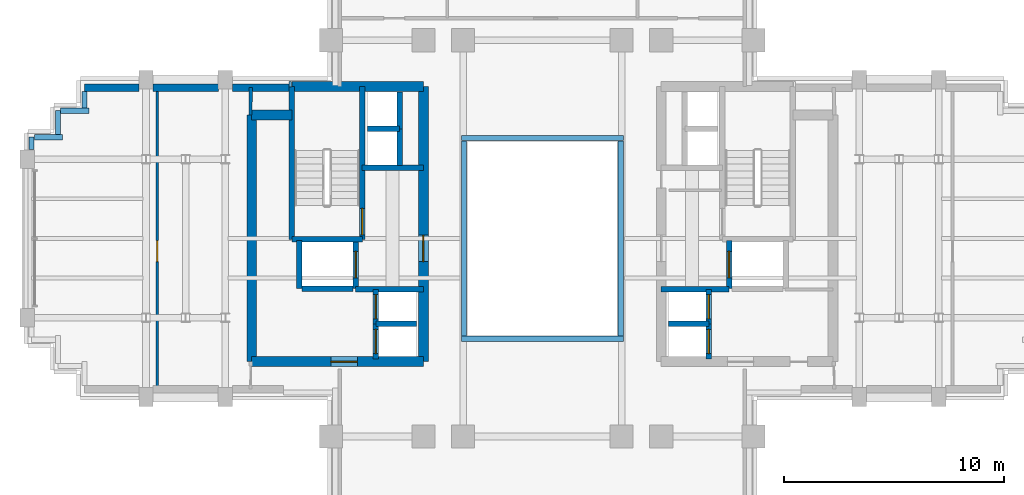
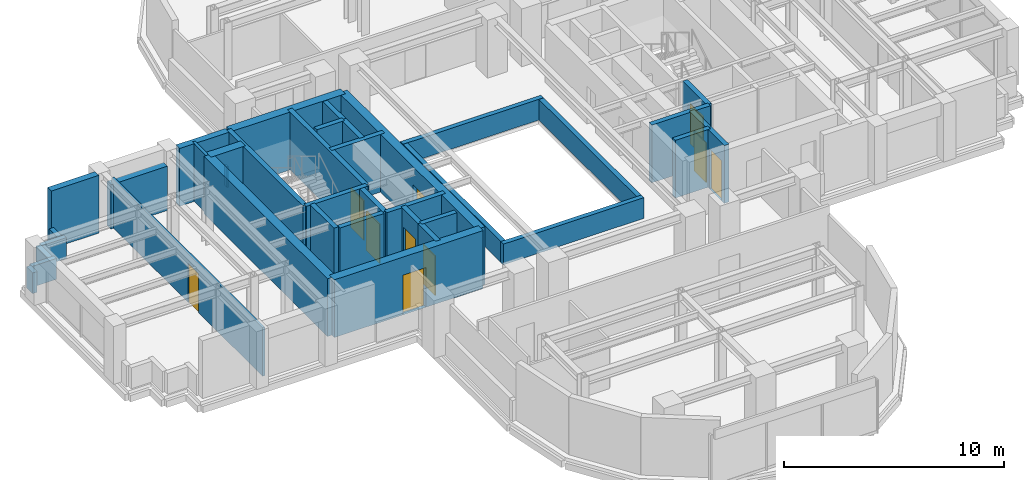
# One storey, part 8 of 13: 39 walls, 10 doors, 10 openings.
"""IFC4 building model written with IfcOpenShell, lengths in metres."""

from ifc_helpers import new_model, si_unit, direction, frame, frame_2d, origin, place, context, subcontext, project, spatial, rectangle, extrude, source, transform, mapped, material, layer, layer_set, type_object, element, fill, save


model = new_model("IFC4")

# Units and contexts
model_context = context("Model", 3, precision=1e-05, world=origin(), true_north=direction((0.0, 1.0)))
body_context = subcontext(model_context, "Body", "Model", "MODEL_VIEW")
ifc_project = project(units=[si_unit("LENGTHUNIT", "METRE"), si_unit("AREAUNIT", "SQUARE_METRE"), si_unit("VOLUMEUNIT", "CUBIC_METRE"), si_unit("PLANEANGLEUNIT", "RADIAN"), si_unit("MASSUNIT", "GRAM", prefix="KILO")], contexts=[model_context])

# Site, building, storey
site_placement = place(None, origin())
site = spatial("IfcSite", under=ifc_project, at=site_placement, CompositionType="ELEMENT")
building_placement = place(site_placement, origin())
building = spatial("IfcBuilding", under=site, at=building_placement, Name="Keilestroom Media Tower", CompositionType="ELEMENT")
storey_placement = place(building_placement, frame((0.0, 0.0, 138.0)))
storey = spatial("IfcBuildingStorey", under=building, at=storey_placement, Name="L37", CompositionType="ELEMENT", Elevation=138.0)

# Walls
ifc_material_1 = material(Name="Precast concrete C40/50", Category="concrete")
ifc_layer_1 = layer(ifc_material_1, 0.340087890625)
ifc_layer_set_1 = layer_set([ifc_layer_1], Name="Precast concrete C40/50")
wall_type_1 = type_object("IfcWallType", Name="Exterior-Masonry-Spandrel-Wall-340", PredefinedType="SOLIDWALL", material=ifc_layer_set_1)
wall_1_placement = place(storey_placement, frame((-20.800048828125, 6.85009765625, 0.0), z_axis=(0.0, 0.0, 1.0), x_axis=(1.0, 0.0, 0.0)))
element("IfcWall", 1, at=wall_1_placement, inside=storey, type_object=wall_type_1, Name="L37 Flank Masonry Wall EWL-L37-NW-1", PredefinedType="SOLIDWALL", context=body_context, shape_type="SweptSolid", body=[
    extrude(rectangle(XDim=2.483154296875, YDim=0.340087890625, at=frame_2d((1.24169921875, 0.0))), origin(), (0.0, 0.0, 1.0), 3.199951171875),
])
wall_2_placement = place(storey_placement, frame((-17.68310546875, 6.85009765625, 0.0), z_axis=(0.0, 0.0, 1.0), x_axis=(1.0, 0.0, 0.0)))
element("IfcWall", 2, at=wall_2_placement, inside=storey, type_object=wall_type_1, Name="L37 Flank Masonry Wall EWL-L37-NW-2", PredefinedType="SOLIDWALL", context=body_context, shape_type="SweptSolid", body=[
    extrude(rectangle(XDim=2.966064453125, YDim=0.340087890625, at=frame_2d((1.48291015625, 0.0))), origin(), (0.0, 0.0, 1.0), 2.449951171875),
])
wall_3_placement = place(storey_placement, frame((-14.0830078125, 6.85009765625, 0.0), z_axis=(0.0, 0.0, 1.0), x_axis=(1.0, 0.0, 0.0)))
element("IfcWall", 3, at=wall_3_placement, inside=storey, type_object=wall_type_1, Name="L37 Flank Masonry Wall EWL-L37-NW-3", PredefinedType="SOLIDWALL", context=body_context, shape_type="SweptSolid", body=[
    extrude(rectangle(XDim=2.5849609375, YDim=0.340087890625, at=frame_2d((1.29248046875, 0.0))), origin(), (0.0, 0.0, 1.0), 3.199951171875),
])

# Wall, opening, door
ifc_material_2 = material(Name="Gypsum Plasterboard & Steel Stud", Category="steel")
ifc_layer_2 = layer(ifc_material_2, 0.1201171875)
ifc_layer_set_2 = layer_set([ifc_layer_2], Name="Gypsum Plasterboard & Steel Stud")
wall_type_2 = type_object("IfcWallType", Name="Interior-Partition-Wall-120", PredefinedType="PARTITIONING", material=ifc_layer_set_2)
wall_4_placement = place(storey_placement, frame((-17.489990234375, -6.85009765625, 0.0), z_axis=(0.0, 0.0, 1.0), x_axis=(0.0, 1.0, 0.0)))
wall_4 = element("IfcWall", 4, at=wall_4_placement, inside=storey, type_object=wall_type_2, Name="L37 Interior Wall WP-L37-WA-V", PredefinedType="PARTITIONING", context=body_context, shape_type="SweptSolid", body=[
    extrude(rectangle(XDim=13.7001953125, YDim=0.1201171875, at=frame_2d((6.85009765625, 0.0))), origin(), (0.0, 0.0, 1.0), 2.699951171875),
])
opening_1_placement = place(wall_4_placement, frame((5.800048828125, 0.0, 0.0)))
opening_1 = element("IfcOpeningElement", 5, at=opening_1_placement, cuts=wall_4, Name="Opening DI-03", PredefinedType="OPENING", context=body_context, shape_type="SweptSolid", body=[
    extrude(rectangle(XDim=0.949951171875, YDim=2.14990234375, at=frame_2d((0.47509765625, 1.074951171875))), frame((0.0, 0.070068359375, 0.0), z_axis=(0.0, -1.0, 0.0), x_axis=(1.0, 0.0, 0.0)), (0.0, 0.0, 1.0), 0.14013671875),
])
ifc_material_3 = material(Name="Lacquered European Oak Leaf", Category="wood")
door_type_1 = type_object("IfcDoorType", Name="Interior-Room-And-Suite-Door-DI-03", OperationType="NOTDEFINED", PredefinedType="DOOR", material=ifc_material_3)
shared_shape_1 = source(origin(), body_context, "Body", "SweptSolid", [
    extrude(rectangle(XDim=0.949951171875, YDim=2.14990234375, at=frame_2d((0.47509765625, 1.074951171875))), frame((0.0, 0.02490234375, 0.0), z_axis=(0.0, -1.0, 0.0), x_axis=(1.0, 0.0, 0.0)), (0.0, 0.0, 1.0), 0.050048828125),
])
door_1_placement = place(opening_1_placement, origin())
door_1 = element("IfcDoor", 6, at=door_1_placement, inside=storey, type_object=door_type_1, Name="L37 Interior Door DI-L37-DWA-W", OperationType="SINGLE_SWING_LEFT", OverallHeight=2.14990234375, OverallWidth=0.949951171875, PredefinedType="DOOR", context=body_context, shape_type="MappedRepresentation", body=[
    mapped(shared_shape_1, transform((0.0, 0.0, 0.0), x_axis=(1.0, 0.0, 0.0), y_axis=(0.0, 1.0, 0.0), z_axis=(0.0, 0.0, 1.0), scale=1.0)),
])
fill(opening_1, door_1)

# Walls
ifc_layer_3 = layer(ifc_material_2, 0.14990234375)
ifc_layer_set_3 = layer_set([ifc_layer_3], Name="Gypsum Plasterboard & Steel Stud")
wall_type_3 = type_object("IfcWallType", Name="Interior-Partition-Wall-150", PredefinedType="PARTITIONING", material=ifc_layer_set_3)
wall_5_placement = place(storey_placement, frame((-13.260009765625, 5.60009765625, 0.0), z_axis=(0.0, 0.0, 1.0), x_axis=(0.016013571389, 0.999871774545, 0.0)))
element("IfcWall", 7, at=wall_5_placement, inside=storey, type_object=wall_type_3, Name="L37 Interior Wall WP-L37-WA-ENTN", PredefinedType="PARTITIONING", context=body_context, shape_type="SweptSolid", body=[
    extrude(rectangle(XDim=1.250244140625, YDim=0.14990234375, at=frame_2d((0.625, 0.0))), origin(), (0.0, 0.0, 1.0), 3.199951171875),
])
ifc_material_4 = material(Name="Concrete C55/67", Category="concrete")
ifc_layer_4 = layer(ifc_material_4, 0.449951171875)
ifc_layer_set_4 = layer_set([ifc_layer_4], Name="Concrete C55/67")
wall_type_4 = type_object("IfcWallType", Name="Reinforced-Concrete-Core-Shear-Wall-450", PredefinedType="SHEAR", material=ifc_layer_set_4)
wall_6_placement = place(storey_placement, frame((-13.199951171875, -5.60009765625, 0.0), z_axis=(0.0, 0.0, 1.0), x_axis=(0.0, 1.0, 0.0)))
element("IfcWall", 8, at=wall_6_placement, inside=storey, type_object=wall_type_4, Name="L37 Core Shear Wall WL-L37-CORE-W-OUT", PredefinedType="SHEAR", context=body_context, shape_type="SweptSolid", body=[
    extrude(rectangle(XDim=11.2001953125, YDim=0.449951171875, at=frame_2d((5.60009765625, 0.0))), origin(), (0.0, 0.0, 1.0), 3.199951171875),
])

# Wall, opening, door
wall_7_placement = place(storey_placement, frame((-5.39990234375, -5.60009765625, 0.0), z_axis=(0.0, 0.0, 1.0), x_axis=(0.0, 1.0, 0.0)))
wall_7 = element("IfcWall", 9, at=wall_7_placement, inside=storey, type_object=wall_type_4, Name="L37 Core Shear Wall WL-L37-CORE-W-IN", PredefinedType="SHEAR", context=body_context, shape_type="SweptSolid", body=[
    extrude(rectangle(XDim=12.5, YDim=0.449951171875, at=frame_2d((6.25, 0.0))), origin(), (0.0, 0.0, 1.0), 3.199951171875),
])
opening_2_placement = place(wall_7_placement, frame((4.550048828125, 0.0, 0.0)))
opening_2 = element("IfcOpeningElement", 10, at=opening_2_placement, cuts=wall_7, Name="Opening DI-02", PredefinedType="OPENING", context=body_context, shape_type="SweptSolid", body=[
    extrude(rectangle(XDim=1.199951171875, YDim=2.199951171875, at=frame_2d((0.60009765625, 1.10009765625))), frame((0.0, 0.23486328125, 0.0), z_axis=(0.0, -1.0, 0.0), x_axis=(1.0, 0.0, 0.0)), (0.0, 0.0, 1.0), 0.469970703125),
])
ifc_material_5 = material(Name="Powder-Coated Steel Fire Leaf", Category="steel")
door_type_2 = type_object("IfcDoorType", Name="Interior-Compartment-Fire-Door-DI-02", OperationType="NOTDEFINED", PredefinedType="DOOR", material=ifc_material_5)
shared_shape_2 = source(origin(), body_context, "Body", "SweptSolid", [
    extrude(rectangle(XDim=1.199951171875, YDim=2.199951171875, at=frame_2d((0.60009765625, 1.10009765625))), frame((0.0, 0.02490234375, 0.0), z_axis=(0.0, -1.0, 0.0), x_axis=(1.0, 0.0, 0.0)), (0.0, 0.0, 1.0), 0.050048828125),
])
door_2_placement = place(opening_2_placement, origin())
door_2 = element("IfcDoor", 11, at=door_2_placement, inside=storey, type_object=door_type_2, Name="L37 W Firefighting Lobby Door", OperationType="SINGLE_SWING_RIGHT", OverallHeight=2.199951171875, OverallWidth=1.199951171875, PredefinedType="DOOR", context=body_context, shape_type="MappedRepresentation", body=[
    mapped(shared_shape_2, transform((0.0, 0.0, 0.0), x_axis=(1.0, 0.0, 0.0), y_axis=(0.0, 1.0, 0.0), z_axis=(0.0, 0.0, 1.0), scale=1.0)),
])
fill(opening_2, door_2)

# Walls
wall_8_placement = place(storey_placement, frame((-11.381103515625, 6.89990234375, 0.0), z_axis=(0.0, 0.0, 1.0), x_axis=(1.0, 0.0, 0.0)))
element("IfcWall", 12, at=wall_8_placement, inside=storey, type_object=wall_type_4, Name="L37 Core Shear Wall WL-L37-CORE-W-N", PredefinedType="SHEAR", context=body_context, shape_type="SweptSolid", body=[
    extrude(rectangle(XDim=5.981201171875, YDim=0.449951171875, at=frame_2d((2.99072265625, 0.0))), origin(), (0.0, 0.0, 1.0), 3.199951171875),
])
wall_9_placement = place(storey_placement, frame((-13.199951171875, 5.60009765625, 0.0), z_axis=(0.0, 0.0, 1.0), x_axis=(1.0, 0.0, 0.0)))
element("IfcWall", 13, at=wall_9_placement, inside=storey, type_object=wall_type_4, Name="L37 Core Shear Wall WL-L37-CNW-N", PredefinedType="SHEAR", context=body_context, shape_type="SweptSolid", body=[
    extrude(rectangle(XDim=1.81884765625, YDim=0.449951171875, at=frame_2d((0.909423828125, 0.0))), origin(), (0.0, 0.0, 1.0), 3.199951171875),
])

# Wall, opening, door
wall_10_placement = place(storey_placement, frame((-13.199951171875, -5.60009765625, 0.0), z_axis=(0.0, 0.0, 1.0), x_axis=(1.0, 0.0, 0.0)))
wall_10 = element("IfcWall", 14, at=wall_10_placement, inside=storey, type_object=wall_type_4, Name="L37 Core Shear Wall WL-L37-CORE-W-S", PredefinedType="SHEAR", context=body_context, shape_type="SweptSolid", body=[
    extrude(rectangle(XDim=7.800048828125, YDim=0.449951171875, at=frame_2d((3.89990234375, 0.0))), origin(), (0.0, 0.0, 1.0), 3.199951171875),
])
opening_3_placement = place(wall_10_placement, frame((3.60009765625, 0.0, 0.0)))
opening_3 = element("IfcOpeningElement", 15, at=opening_3_placement, cuts=wall_10, Name="Opening DI-02", PredefinedType="OPENING", context=body_context, shape_type="SweptSolid", body=[
    extrude(rectangle(XDim=1.199951171875, YDim=2.199951171875, at=frame_2d((0.60009765625, 1.10009765625))), frame((0.0, 0.23486328125, 0.0), z_axis=(0.0, -1.0, 0.0), x_axis=(1.0, 0.0, 0.0)), (0.0, 0.0, 1.0), 0.469970703125),
])
door_3_placement = place(opening_3_placement, origin())
door_3 = element("IfcDoor", 16, at=door_3_placement, inside=storey, type_object=door_type_2, Name="L37 W Passenger Lift Lobby Door", OperationType="SINGLE_SWING_LEFT", OverallHeight=2.199951171875, OverallWidth=1.199951171875, PredefinedType="DOOR", context=body_context, shape_type="MappedRepresentation", body=[
    mapped(shared_shape_2, transform((0.0, 0.0, 0.0), x_axis=(1.0, 0.0, 0.0), y_axis=(0.0, 1.0, 0.0), z_axis=(0.0, 0.0, 1.0), scale=1.0)),
])
fill(opening_3, door_3)

# Walls
ifc_material_6 = material(Name="Concrete C50/60", Category="concrete")
ifc_layer_5 = layer(ifc_material_6, 0.25)
ifc_layer_set_5 = layer_set([ifc_layer_5], Name="Concrete C50/60")
wall_type_5 = type_object("IfcWallType", Name="Reinforced-Concrete-Shaft-Wall-250", PredefinedType="SOLIDWALL", material=ifc_layer_set_5)
wall_11_placement = place(storey_placement, frame((-8.179931640625, 3.219970703125, 0.0), z_axis=(0.0, 0.0, 1.0), x_axis=(1.0, 0.0, 0.0)))
element("IfcWall", 17, at=wall_11_placement, inside=storey, type_object=wall_type_5, Name="L37 Core Shear Wall WL-L37-CORE-W-FFN", PredefinedType="SOLIDWALL", context=body_context, shape_type="SweptSolid", body=[
    extrude(rectangle(XDim=2.780029296875, YDim=0.25, at=frame_2d((1.39013671875, 0.0))), origin(), (0.0, 0.0, 1.0), 3.199951171875),
])
wall_12_placement = place(storey_placement, frame((-8.47998046875, -2.300048828125, 0.0), z_axis=(0.0, 0.0, 1.0), x_axis=(1.0, 0.0, 0.0)))
element("IfcWall", 18, at=wall_12_placement, inside=storey, type_object=wall_type_5, Name="L37 Core Shear Wall WL-L37-CORE-W-FFS", PredefinedType="SOLIDWALL", context=body_context, shape_type="SweptSolid", body=[
    extrude(rectangle(XDim=3.080078125, YDim=0.25, at=frame_2d((1.5400390625, 0.0))), origin(), (0.0, 0.0, 1.0), 3.199951171875),
])

# Wall, opening, door
wall_13_placement = place(storey_placement, frame((-8.178955078125, -0.041015625, 0.0), z_axis=(0.0, 0.0, 1.0), x_axis=(0.0, 1.0, 0.0)))
wall_13 = element("IfcWall", 19, at=wall_13_placement, inside=storey, type_object=wall_type_5, Name="L37 Core Shear Wall WL-L37-STW-W-NEAR", PredefinedType="SOLIDWALL", context=body_context, shape_type="SweptSolid", body=[
    extrude(rectangle(XDim=6.94091796875, YDim=0.25, at=frame_2d((3.470458984375, 0.0))), origin(), (0.0, 0.0, 1.0), 3.199951171875),
])
opening_4_placement = place(wall_13_placement, frame((0.199951171875, 0.0, 0.0)))
opening_4 = element("IfcOpeningElement", 20, at=opening_4_placement, cuts=wall_13, Name="Opening DI-01S", PredefinedType="OPENING", context=body_context, shape_type="SweptSolid", body=[
    extrude(rectangle(XDim=1.199951171875, YDim=2.199951171875, at=frame_2d((0.60009765625, 1.10009765625))), frame((0.0, 0.135009765625, 0.0), z_axis=(0.0, -1.0, 0.0), x_axis=(1.0, 0.0, 0.0)), (0.0, 0.0, 1.0), 0.27001953125),
])
door_type_3 = type_object("IfcDoorType", Name="Interior-Stair-And-Core-Fire-Door-DI-01", OperationType="NOTDEFINED", PredefinedType="DOOR", material=ifc_material_5)
door_4_placement = place(opening_4_placement, origin())
door_4 = element("IfcDoor", 21, at=door_4_placement, inside=storey, type_object=door_type_3, Name="L37 Escape Stair ST-1 Fire Door", OperationType="SINGLE_SWING_LEFT", OverallHeight=2.199951171875, OverallWidth=1.199951171875, PredefinedType="DOOR", context=body_context, shape_type="MappedRepresentation", body=[
    mapped(shared_shape_2, transform((0.0, 0.0, 0.0), x_axis=(1.0, 0.0, 0.0), y_axis=(0.0, 1.0, 0.0), z_axis=(0.0, 0.0, 1.0), scale=1.0)),
])
fill(opening_4, door_4)

# Walls
wall_14_placement = place(storey_placement, frame((-11.381103515625, -0.041015625, 0.0), z_axis=(0.0, 0.0, 1.0), x_axis=(0.0, 1.0, 0.0)))
element("IfcWall", 22, at=wall_14_placement, inside=storey, type_object=wall_type_5, Name="L37 Core Shear Wall WL-L37-STW-W-FAR", PredefinedType="SOLIDWALL", context=body_context, shape_type="SweptSolid", body=[
    extrude(rectangle(XDim=6.94091796875, YDim=0.25, at=frame_2d((3.470458984375, 0.0))), origin(), (0.0, 0.0, 1.0), 3.199951171875),
])
wall_15_placement = place(storey_placement, frame((-11.381103515625, -0.041015625, 0.0), z_axis=(0.0, 0.0, 1.0), x_axis=(1.0, 0.0, 0.0)))
element("IfcWall", 23, at=wall_15_placement, inside=storey, type_object=wall_type_5, Name="L37 Core Shear Wall WL-L37-STW-W-S", PredefinedType="SOLIDWALL", context=body_context, shape_type="SweptSolid", body=[
    extrude(rectangle(XDim=3.2021484375, YDim=0.25, at=frame_2d((1.60107421875, 0.0))), origin(), (0.0, 0.0, 1.0), 3.199951171875),
])
wall_16_placement = place(storey_placement, frame((5.39990234375, -2.300048828125, 0.0), z_axis=(0.0, 0.0, 1.0), x_axis=(1.0, 0.0, 0.0)))
element("IfcWall", 24, at=wall_16_placement, inside=storey, type_object=wall_type_5, Name="L37 Core Shear Wall WL-L37-CORE-E-FFS", PredefinedType="SOLIDWALL", context=body_context, shape_type="SweptSolid", body=[
    extrude(rectangle(XDim=3.080078125, YDim=0.25, at=frame_2d((1.5400390625, 0.0))), origin(), (0.0, 0.0, 1.0), 3.199951171875),
])
wall_17_placement = place(storey_placement, frame((-11.050048828125, -2.280029296875, 0.0), z_axis=(0.0, 0.0, 1.0), x_axis=(0.0, 1.0, 0.0)))
element("IfcWall", 25, at=wall_17_placement, inside=storey, type_object=wall_type_5, Name="L37 Core Shear Wall WL-L37-LSH-FFL-1-W", PredefinedType="SOLIDWALL", context=body_context, shape_type="SweptSolid", body=[
    extrude(rectangle(XDim=2.179931640625, YDim=0.25, at=frame_2d((1.08984375, 0.0))), origin(), (0.0, 0.0, 1.0), 3.199951171875),
])

# Wall, opening, door
wall_18_placement = place(storey_placement, frame((-8.47998046875, -2.280029296875, 0.0), z_axis=(0.0, 0.0, 1.0), x_axis=(0.0, 1.0, 0.0)))
wall_18 = element("IfcWall", 26, at=wall_18_placement, inside=storey, type_object=wall_type_5, Name="L37 Core Shear Wall WL-L37-LSH-FFL-1-E", PredefinedType="SOLIDWALL", context=body_context, shape_type="SweptSolid", body=[
    extrude(rectangle(XDim=2.179931640625, YDim=0.25, at=frame_2d((1.08984375, 0.0))), origin(), (0.0, 0.0, 1.0), 3.199951171875),
])
opening_5_placement = place(wall_18_placement, frame((0.489990234375, 0.0, 0.0)))
opening_5 = element("IfcOpeningElement", 27, at=opening_5_placement, cuts=wall_18, Name="Opening LD-02", PredefinedType="OPENING", context=body_context, shape_type="SweptSolid", body=[
    extrude(rectangle(XDim=1.199951171875, YDim=2.199951171875, at=frame_2d((0.60009765625, 1.10009765625))), frame((0.0, 0.135009765625, 0.0), z_axis=(0.0, -1.0, 0.0), x_axis=(1.0, 0.0, 0.0)), (0.0, 0.0, 1.0), 0.27001953125),
])
ifc_material_7 = material(Name="Brushed Stainless Steel Sliding Leaf", Category="steel")
door_type_4 = type_object("IfcDoorType", Name="Lift-Landing-Sliding-Door-LD-02", OperationType="SLIDING_TO_RIGHT", PredefinedType="DOOR", material=ifc_material_7)
door_5_placement = place(opening_5_placement, origin())
door_5 = element("IfcDoor", 28, at=door_5_placement, inside=storey, type_object=door_type_4, Name="L37 Lift FFL-1 Landing Sliding Door", OperationType="SLIDING_TO_RIGHT", OverallHeight=2.199951171875, OverallWidth=1.199951171875, PredefinedType="DOOR", context=body_context, shape_type="MappedRepresentation", body=[
    mapped(shared_shape_2, transform((0.0, 0.0, 0.0), x_axis=(1.0, 0.0, 0.0), y_axis=(0.0, 1.0, 0.0), z_axis=(0.0, 0.0, 1.0), scale=1.0)),
])
fill(opening_5, door_5)

# Wall
wall_19_placement = place(storey_placement, frame((-10.9208984375, -2.280029296875, 0.0), z_axis=(0.0, 0.0, 1.0), x_axis=(1.0, 0.0, 0.0)))
element("IfcWall", 29, at=wall_19_placement, inside=storey, type_object=wall_type_5, Name="L37 Core Shear Wall WL-L37-LSH-FFL-1-S", PredefinedType="SOLIDWALL", context=body_context, shape_type="SweptSolid", body=[
    extrude(rectangle(XDim=2.31201171875, YDim=0.25, at=frame_2d((1.156005859375, 0.0))), origin(), (0.0, 0.0, 1.0), 3.199951171875),
])

# Wall, opening, door
wall_20_placement = place(storey_placement, frame((8.47998046875, -2.280029296875, 0.0), z_axis=(0.0, 0.0, 1.0), x_axis=(0.0, 1.0, 0.0)))
wall_20 = element("IfcWall", 30, at=wall_20_placement, inside=storey, type_object=wall_type_5, Name="L37 Core Shear Wall WL-L37-LSH-FFL-2-W", PredefinedType="SOLIDWALL", context=body_context, shape_type="SweptSolid", body=[
    extrude(rectangle(XDim=2.179931640625, YDim=0.25, at=frame_2d((1.08984375, 0.0))), origin(), (0.0, 0.0, 1.0), 3.199951171875),
])
opening_6_placement = place(wall_20_placement, frame((0.489990234375, 0.0, 0.0)))
opening_6 = element("IfcOpeningElement", 31, at=opening_6_placement, cuts=wall_20, Name="Opening LD-02", PredefinedType="OPENING", context=body_context, shape_type="SweptSolid", body=[
    extrude(rectangle(XDim=1.199951171875, YDim=2.199951171875, at=frame_2d((0.60009765625, 1.10009765625))), frame((0.0, 0.135009765625, 0.0), z_axis=(0.0, -1.0, 0.0), x_axis=(1.0, 0.0, 0.0)), (0.0, 0.0, 1.0), 0.27001953125),
])
door_6_placement = place(opening_6_placement, origin())
door_6 = element("IfcDoor", 32, at=door_6_placement, inside=storey, type_object=door_type_4, Name="L37 Lift FFL-2 Landing Sliding Door", OperationType="SLIDING_TO_RIGHT", OverallHeight=2.199951171875, OverallWidth=1.199951171875, PredefinedType="DOOR", context=body_context, shape_type="MappedRepresentation", body=[
    mapped(shared_shape_2, transform((0.0, 0.0, 0.0), x_axis=(1.0, 0.0, 0.0), y_axis=(0.0, 1.0, 0.0), z_axis=(0.0, 0.0, 1.0), scale=1.0)),
])
fill(opening_6, door_6)

wall_21_placement = place(storey_placement, frame((-7.56005859375, -5.47998046875, 0.0), z_axis=(0.0, 0.0, 1.0), x_axis=(0.0, 1.0, 0.0)))
wall_21 = element("IfcWall", 33, at=wall_21_placement, inside=storey, type_object=wall_type_5, Name="L37 Core Shear Wall WL-L37-LSH-PL-M1-W", PredefinedType="SOLIDWALL", context=body_context, shape_type="SweptSolid", body=[
    extrude(rectangle(XDim=1.60009765625, YDim=0.25, at=frame_2d((0.800048828125, 0.0))), origin(), (0.0, 0.0, 1.0), 3.199951171875),
])
opening_7_placement = place(wall_21_placement, frame((0.25, 0.0, 0.0)))
opening_7 = element("IfcOpeningElement", 34, at=opening_7_placement, cuts=wall_21, Name="Opening LD-01", PredefinedType="OPENING", context=body_context, shape_type="SweptSolid", body=[
    extrude(rectangle(XDim=1.10009765625, YDim=2.199951171875, at=frame_2d((0.550048828125, 1.10009765625))), frame((0.0, 0.135009765625, 0.0), z_axis=(0.0, -1.0, 0.0), x_axis=(1.0, 0.0, 0.0)), (0.0, 0.0, 1.0), 0.27001953125),
])
door_type_5 = type_object("IfcDoorType", Name="Lift-Landing-Sliding-Door-LD-01", OperationType="SLIDING_TO_LEFT", PredefinedType="DOOR", material=ifc_material_7)
shared_shape_3 = source(origin(), body_context, "Body", "SweptSolid", [
    extrude(rectangle(XDim=1.10009765625, YDim=2.199951171875, at=frame_2d((0.550048828125, 1.10009765625))), frame((0.0, 0.02490234375, 0.0), z_axis=(0.0, -1.0, 0.0), x_axis=(1.0, 0.0, 0.0)), (0.0, 0.0, 1.0), 0.050048828125),
])
door_7_placement = place(opening_7_placement, origin())
door_7 = element("IfcDoor", 35, at=door_7_placement, inside=storey, type_object=door_type_5, Name="L37 Lift PL-M1 Landing Sliding Door", OperationType="SLIDING_TO_LEFT", OverallHeight=2.199951171875, OverallWidth=1.10009765625, PredefinedType="DOOR", context=body_context, shape_type="MappedRepresentation", body=[
    mapped(shared_shape_3, transform((0.0, 0.0, 0.0), x_axis=(1.0, 0.0, 0.0), y_axis=(0.0, 1.0, 0.0), z_axis=(0.0, 0.0, 1.0), scale=1.0)),
])
fill(opening_7, door_7)

# Wall
wall_22_placement = place(storey_placement, frame((-7.56005859375, -3.8798828125, 0.0), z_axis=(0.0, 0.0, 1.0), x_axis=(1.0, 0.0, 0.0)))
element("IfcWall", 36, at=wall_22_placement, inside=storey, type_object=wall_type_5, Name="L37 Core Shear Wall WL-L37-LSH-PL-M1-N", PredefinedType="SOLIDWALL", context=body_context, shape_type="SweptSolid", body=[
    extrude(rectangle(XDim=1.840087890625, YDim=0.25, at=frame_2d((0.919921875, 0.0))), origin(), (0.0, 0.0, 1.0), 3.199951171875),
])

# Wall, opening, door
wall_23_placement = place(storey_placement, frame((-7.56005859375, -3.8798828125, 0.0), z_axis=(0.0, 0.0, 1.0), x_axis=(0.0, 1.0, 0.0)))
wall_23 = element("IfcWall", 37, at=wall_23_placement, inside=storey, type_object=wall_type_5, Name="L37 Core Shear Wall WL-L37-LSH-PL-M2-W", PredefinedType="SOLIDWALL", context=body_context, shape_type="SweptSolid", body=[
    extrude(rectangle(XDim=1.559814453125, YDim=0.25, at=frame_2d((0.77978515625, 0.0))), origin(), (0.0, 0.0, 1.0), 3.199951171875),
])
opening_8_placement = place(wall_23_placement, frame((0.22998046875, 0.0, 0.0)))
opening_8 = element("IfcOpeningElement", 38, at=opening_8_placement, cuts=wall_23, Name="Opening LD-01", PredefinedType="OPENING", context=body_context, shape_type="SweptSolid", body=[
    extrude(rectangle(XDim=1.10009765625, YDim=2.199951171875, at=frame_2d((0.550048828125, 1.10009765625))), frame((0.0, 0.135009765625, 0.0), z_axis=(0.0, -1.0, 0.0), x_axis=(1.0, 0.0, 0.0)), (0.0, 0.0, 1.0), 0.27001953125),
])
door_8_placement = place(opening_8_placement, origin())
door_8 = element("IfcDoor", 39, at=door_8_placement, inside=storey, type_object=door_type_5, Name="L37 Lift PL-M2 Landing Sliding Door", OperationType="SLIDING_TO_LEFT", OverallHeight=2.199951171875, OverallWidth=1.10009765625, PredefinedType="DOOR", context=body_context, shape_type="MappedRepresentation", body=[
    mapped(shared_shape_3, transform((0.0, 0.0, 0.0), x_axis=(1.0, 0.0, 0.0), y_axis=(0.0, 1.0, 0.0), z_axis=(0.0, 0.0, 1.0), scale=1.0)),
])
fill(opening_8, door_8)

wall_24_placement = place(storey_placement, frame((7.56005859375, -5.47998046875, 0.0), z_axis=(0.0, 0.0, 1.0), x_axis=(0.0, 1.0, 0.0)))
wall_24 = element("IfcWall", 40, at=wall_24_placement, inside=storey, type_object=wall_type_5, Name="L37 Core Shear Wall WL-L37-LSH-PL-M3-E", PredefinedType="SOLIDWALL", context=body_context, shape_type="SweptSolid", body=[
    extrude(rectangle(XDim=1.60009765625, YDim=0.25, at=frame_2d((0.800048828125, 0.0))), origin(), (0.0, 0.0, 1.0), 3.199951171875),
])
opening_9_placement = place(wall_24_placement, frame((0.25, 0.0, 0.0)))
opening_9 = element("IfcOpeningElement", 41, at=opening_9_placement, cuts=wall_24, Name="Opening LD-01", PredefinedType="OPENING", context=body_context, shape_type="SweptSolid", body=[
    extrude(rectangle(XDim=1.10009765625, YDim=2.199951171875, at=frame_2d((0.550048828125, 1.10009765625))), frame((0.0, 0.135009765625, 0.0), z_axis=(0.0, -1.0, 0.0), x_axis=(1.0, 0.0, 0.0)), (0.0, 0.0, 1.0), 0.27001953125),
])
door_9_placement = place(opening_9_placement, origin())
door_9 = element("IfcDoor", 42, at=door_9_placement, inside=storey, type_object=door_type_5, Name="L37 Lift PL-M3 Landing Sliding Door", OperationType="SLIDING_TO_LEFT", OverallHeight=2.199951171875, OverallWidth=1.10009765625, PredefinedType="DOOR", context=body_context, shape_type="MappedRepresentation", body=[
    mapped(shared_shape_3, transform((0.0, 0.0, 0.0), x_axis=(1.0, 0.0, 0.0), y_axis=(0.0, 1.0, 0.0), z_axis=(0.0, 0.0, 1.0), scale=1.0)),
])
fill(opening_9, door_9)

# Wall
wall_25_placement = place(storey_placement, frame((5.719970703125, -3.8798828125, 0.0), z_axis=(0.0, 0.0, 1.0), x_axis=(1.0, 0.0, 0.0)))
element("IfcWall", 43, at=wall_25_placement, inside=storey, type_object=wall_type_5, Name="L37 Core Shear Wall WL-L37-LSH-PL-M3-N", PredefinedType="SOLIDWALL", context=body_context, shape_type="SweptSolid", body=[
    extrude(rectangle(XDim=1.840087890625, YDim=0.25, at=frame_2d((0.919921875, 0.0))), origin(), (0.0, 0.0, 1.0), 3.199951171875),
])

# Wall, opening, door
wall_26_placement = place(storey_placement, frame((7.56005859375, -3.8798828125, 0.0), z_axis=(0.0, 0.0, 1.0), x_axis=(0.0, 1.0, 0.0)))
wall_26 = element("IfcWall", 44, at=wall_26_placement, inside=storey, type_object=wall_type_5, Name="L37 Core Shear Wall WL-L37-LSH-PL-M4-E", PredefinedType="SOLIDWALL", context=body_context, shape_type="SweptSolid", body=[
    extrude(rectangle(XDim=1.559814453125, YDim=0.25, at=frame_2d((0.77978515625, 0.0))), origin(), (0.0, 0.0, 1.0), 3.199951171875),
])
opening_10_placement = place(wall_26_placement, frame((0.22998046875, 0.0, 0.0)))
opening_10 = element("IfcOpeningElement", 45, at=opening_10_placement, cuts=wall_26, Name="Opening LD-01", PredefinedType="OPENING", context=body_context, shape_type="SweptSolid", body=[
    extrude(rectangle(XDim=1.10009765625, YDim=2.199951171875, at=frame_2d((0.550048828125, 1.10009765625))), frame((0.0, 0.135009765625, 0.0), z_axis=(0.0, -1.0, 0.0), x_axis=(1.0, 0.0, 0.0)), (0.0, 0.0, 1.0), 0.27001953125),
])
door_10_placement = place(opening_10_placement, origin())
door_10 = element("IfcDoor", 46, at=door_10_placement, inside=storey, type_object=door_type_5, Name="L37 Lift PL-M4 Landing Sliding Door", OperationType="SLIDING_TO_LEFT", OverallHeight=2.199951171875, OverallWidth=1.10009765625, PredefinedType="DOOR", context=body_context, shape_type="MappedRepresentation", body=[
    mapped(shared_shape_3, transform((0.0, 0.0, 0.0), x_axis=(1.0, 0.0, 0.0), y_axis=(0.0, 1.0, 0.0), z_axis=(0.0, 0.0, 1.0), scale=1.0)),
])
fill(opening_10, door_10)

# Walls
wall_27_placement = place(storey_placement, frame((-6.47998046875, 3.300048828125, 0.0), z_axis=(0.0, 0.0, 1.0), x_axis=(0.0, 1.0, 0.0)))
element("IfcWall", 47, at=wall_27_placement, inside=storey, type_object=wall_type_5, Name="L37 Core Shear Wall WL-L37-LSH-PL-H1-E", PredefinedType="SOLIDWALL", context=body_context, shape_type="SweptSolid", body=[
    extrude(rectangle(XDim=1.679931640625, YDim=0.25, at=frame_2d((0.83984375, 0.0))), origin(), (0.0, 0.0, 1.0), 3.199951171875),
])
wall_28_placement = place(storey_placement, frame((-7.949951171875, 4.97998046875, 0.0), z_axis=(0.0, 0.0, 1.0), x_axis=(1.0, 0.0, 0.0)))
element("IfcWall", 48, at=wall_28_placement, inside=storey, type_object=wall_type_5, Name="L37 Core Shear Wall WL-L37-LSH-PL-H1-N", PredefinedType="SOLIDWALL", context=body_context, shape_type="SweptSolid", body=[
    extrude(rectangle(XDim=1.469970703125, YDim=0.25, at=frame_2d((0.73486328125, 0.0))), origin(), (0.0, 0.0, 1.0), 3.199951171875),
])
wall_29_placement = place(storey_placement, frame((-6.47998046875, 4.97998046875, 0.0), z_axis=(0.0, 0.0, 1.0), x_axis=(0.0, 1.0, 0.0)))
element("IfcWall", 49, at=wall_29_placement, inside=storey, type_object=wall_type_5, Name="L37 Core Shear Wall WL-L37-LSH-PL-H2-E", PredefinedType="SOLIDWALL", context=body_context, shape_type="SweptSolid", body=[
    extrude(rectangle(XDim=1.669921875, YDim=0.25, at=frame_2d((0.8349609375, 0.0))), origin(), (0.0, 0.0, 1.0), 3.199951171875),
])
ifc_layer_6 = layer(ifc_material_1, 0.239990234375)
ifc_layer_set_6 = layer_set([ifc_layer_6], Name="Precast concrete C40/50")
wall_type_6 = type_object("IfcWallType", Name="Roof-And-Terrace-Parapet-Wall-240", PredefinedType="PARAPET", material=ifc_layer_set_6)
wall_30_placement = place(storey_placement, frame((-23.199951171875, 4.028076171875, 0.0), z_axis=(0.0, 0.0, 1.0), x_axis=(0.0, 1.0, 0.0)))
element("IfcWall", 50, at=wall_30_placement, inside=storey, type_object=wall_type_6, Name="L37 Perimeter Edge Parapet Wall 17", PredefinedType="PARAPET", context=body_context, shape_type="SweptSolid", body=[
    extrude(rectangle(XDim=0.572021484375, YDim=0.239990234375, at=frame_2d((0.2861328125, 0.0))), origin(), (0.0, 0.0, 1.0), 1.14990234375),
])
wall_31_placement = place(storey_placement, frame((-23.076904296875, 4.60009765625, 0.0), z_axis=(0.0, 0.0, 1.0), x_axis=(1.0, 0.0, 0.0)))
element("IfcWall", 51, at=wall_31_placement, inside=storey, type_object=wall_type_6, Name="L37 Perimeter Edge Parapet Wall 18", PredefinedType="PARAPET", context=body_context, shape_type="SweptSolid", body=[
    extrude(rectangle(XDim=1.27685546875, YDim=0.239990234375, at=frame_2d((0.638427734375, 0.0))), origin(), (0.0, 0.0, 1.0), 1.14990234375),
])
wall_32_placement = place(storey_placement, frame((-22.0, 4.722900390625, 0.0), z_axis=(0.0, 0.0, 1.0), x_axis=(0.0, 1.0, 0.0)))
element("IfcWall", 52, at=wall_32_placement, inside=storey, type_object=wall_type_6, Name="L37 Perimeter Edge Parapet Wall 19", PredefinedType="PARAPET", context=body_context, shape_type="SweptSolid", body=[
    extrude(rectangle(XDim=1.0771484375, YDim=0.239990234375, at=frame_2d((0.53857421875, 0.0))), origin(), (0.0, 0.0, 1.0), 1.14990234375),
])
wall_33_placement = place(storey_placement, frame((-21.876953125, 5.800048828125, 0.0), z_axis=(0.0, 0.0, 1.0), x_axis=(1.0, 0.0, 0.0)))
element("IfcWall", 53, at=wall_33_placement, inside=storey, type_object=wall_type_6, Name="L37 Perimeter Edge Parapet Wall 20", PredefinedType="PARAPET", context=body_context, shape_type="SweptSolid", body=[
    extrude(rectangle(XDim=1.27685546875, YDim=0.239990234375, at=frame_2d((0.638427734375, 0.0))), origin(), (0.0, 0.0, 1.0), 1.14990234375),
])
wall_34_placement = place(storey_placement, frame((-20.800048828125, 5.923095703125, 0.0), z_axis=(0.0, 0.0, 1.0), x_axis=(0.0, 1.0, 0.0)))
element("IfcWall", 54, at=wall_34_placement, inside=storey, type_object=wall_type_6, Name="L37 Perimeter Edge Parapet Wall 21", PredefinedType="PARAPET", context=body_context, shape_type="SweptSolid", body=[
    extrude(rectangle(XDim=0.75390625, YDim=0.239990234375, at=frame_2d((0.376953125, 0.0))), origin(), (0.0, 0.0, 1.0), 1.14990234375),
])
wall_35_placement = place(storey_placement, frame((-11.4951171875, 7.0, 0.0), z_axis=(0.0, 0.0, 1.0), x_axis=(1.0, 0.0, 0.0)))
element("IfcWall", 55, at=wall_35_placement, inside=storey, type_object=wall_type_6, Name="L37 Perimeter Edge Parapet Wall 22", PredefinedType="PARAPET", context=body_context, shape_type="SweptSolid", body=[
    extrude(rectangle(XDim=0.092041015625, YDim=0.239990234375, at=frame_2d((0.0458984375, 0.0))), origin(), (0.0, 0.0, 1.0), 1.14990234375),
])
for number, where, z_axis, x_axis, name in (
    (56, (-3.679931640625, -4.56005859375, 0.0), (0.0, 0.0, 1.0), (1.0, 0.0, 0.0), "L37 Central Atrium Guard Parapet S"),
    (57, (-3.679931640625, 4.56005859375, 0.0), (0.0, 0.0, 1.0), (1.0, 0.0, 0.0), "L37 Central Atrium Guard Parapet N"),
):
    element("IfcWall", number, at=place(storey_placement, frame(where, z_axis=z_axis, x_axis=x_axis)), inside=storey, type_object=wall_type_6, Name=name, PredefinedType="PARAPET", context=body_context, shape_type="SweptSolid", body=[
        extrude(rectangle(XDim=7.35986328125, YDim=0.239990234375, at=frame_2d((3.679931640625, 0.0))), origin(), (0.0, 0.0, 1.0), 1.14990234375),
    ])
for number, where, z_axis, x_axis, name in (
    (58, (-3.56005859375, -4.43505859375, 0.0), (0.0, 0.0, 1.0), (0.0, 1.0, 0.0), "L37 Central Atrium Guard Parapet W"),
    (59, (3.56005859375, -4.43505859375, 0.0), (0.0, 0.0, 1.0), (0.0, 1.0, 0.0), "L37 Central Atrium Guard Parapet E"),
):
    element("IfcWall", number, at=place(storey_placement, frame(where, z_axis=z_axis, x_axis=x_axis)), inside=storey, type_object=wall_type_6, Name=name, PredefinedType="PARAPET", context=body_context, shape_type="SweptSolid", body=[
        extrude(rectangle(XDim=8.8701171875, YDim=0.239990234375, at=frame_2d((4.43505859375, 0.0))), origin(), (0.0, 0.0, 1.0), 1.14990234375),
    ])

save(model, "model.ifc")
